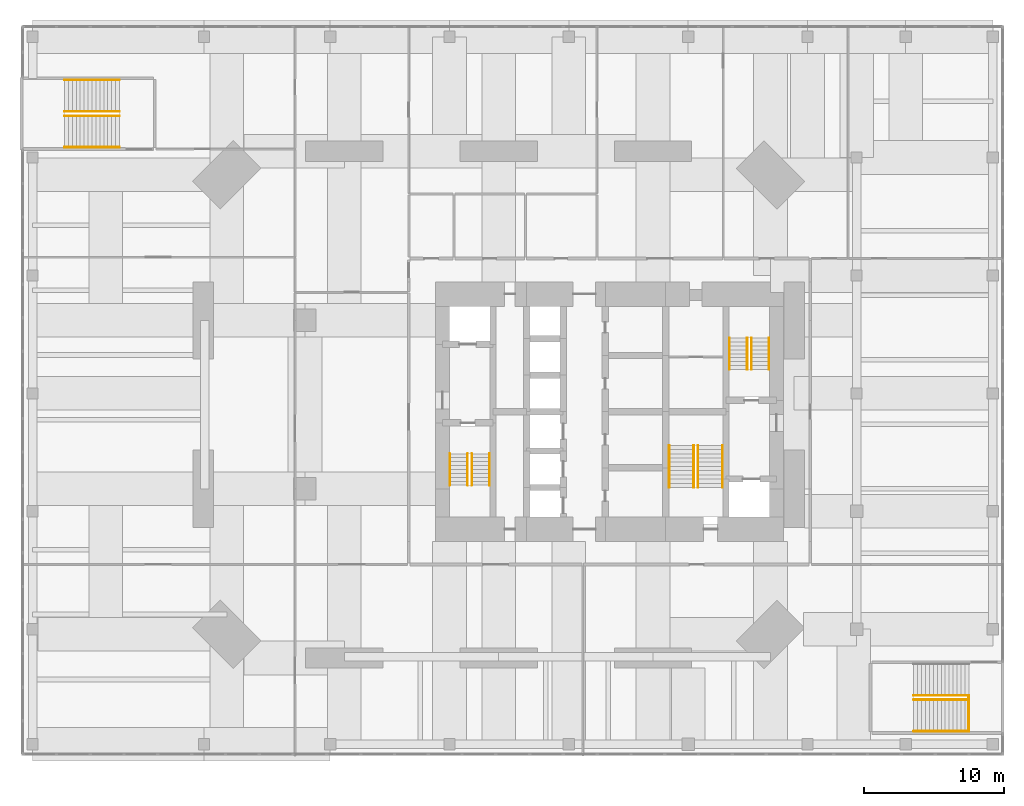
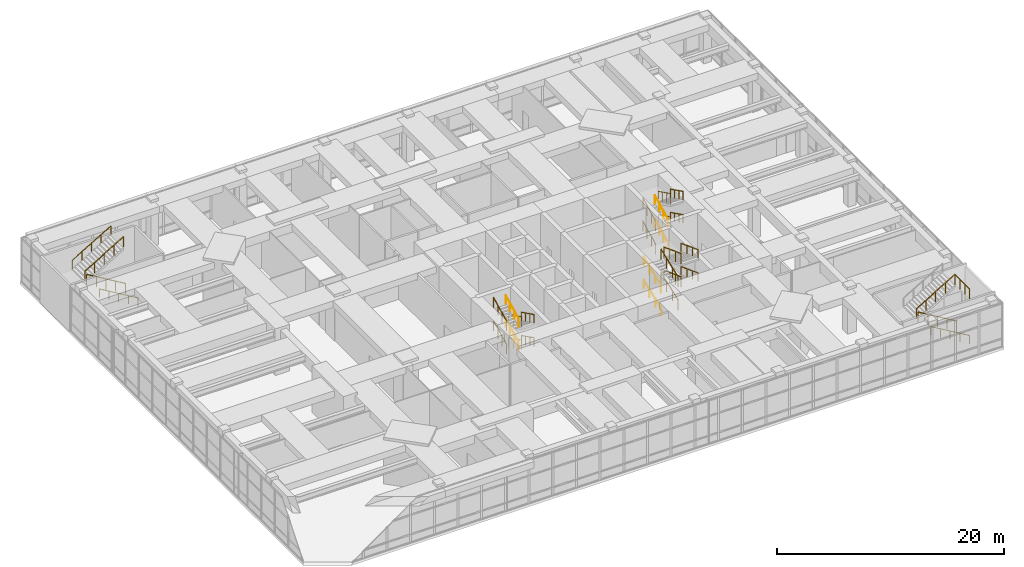
# One storey, part 23 of 24: 32 railings.
"""IFC4 building model written with IfcOpenShell, lengths in metres."""

from ifc_helpers import new_model, si_unit, direction, frame, origin, origin_2d, place, context, subcontext, project, spatial, rectangle, circle, extrude, material, constituent, constituent_set, type_object, element, save


model = new_model("IFC4")

# Units and contexts
model_context = context("Model", 3, precision=1e-05, world=origin(), true_north=direction((0.0, 1.0)))
body_context = subcontext(model_context, "Body", "Model", "MODEL_VIEW")
ifc_project = project(units=[si_unit("LENGTHUNIT", "METRE"), si_unit("AREAUNIT", "SQUARE_METRE"), si_unit("VOLUMEUNIT", "CUBIC_METRE"), si_unit("PLANEANGLEUNIT", "RADIAN"), si_unit("MASSUNIT", "GRAM", prefix="KILO")], contexts=[model_context])

# Site, building, storey
site_placement = place(None, origin())
site = spatial("IfcSite", under=ifc_project, at=site_placement, CompositionType="ELEMENT")
building_placement = place(site_placement, origin())
building = spatial("IfcBuilding", under=site, at=building_placement, Name="Jalousie Tower", CompositionType="ELEMENT")
storey_placement = place(building_placement, frame((0.0, 0.0, 11.0)))
storey = spatial("IfcBuildingStorey", under=building, at=storey_placement, Name="L02", CompositionType="ELEMENT", Elevation=11.0)

# Railings
ifc_material_1 = material(Name="Steel ASTM A500 Grade C", Category="steel")
ifc_constituent_1 = constituent(ifc_material_1, Name="Body")
ifc_material_2 = material(Name="Hot-dip galvanised zinc coating")
ifc_constituent_2 = constituent(ifc_material_2, Name="Finish")
ifc_constituent_set_1 = constituent_set(constituents=[ifc_constituent_1, ifc_constituent_2])
railing_type_1 = type_object("IfcRailingType", Name="STAIR GUARD 1100", PredefinedType="GUARDRAIL", material=ifc_constituent_set_1)
railing_1_placement = place(storey_placement, frame((22.092529296875, 15.49755859375, 0.138916015625)))
element("IfcRailing", 1, at=railing_1_placement, inside=storey, type_object=railing_type_1, Name="Exit stair A guard L02 flight 1", PredefinedType="GUARDRAIL", context=body_context, shape_type="SweptSolid", body=[
    extrude(rectangle(XDim=0.048095703125, YDim=0.048095703125, at=origin_2d()), frame((0.0, 0.0, 1.076171875), z_axis=(0.0, -0.895848192791, 0.444360231651), x_axis=(1.0, 0.0, 0.0)), (0.0, 0.0, 1.0), 2.50048828125),
    extrude(circle(Radius=0.02099609375, at=origin_2d()), origin(), (0.0, 0.0, 1.0), 1.052001953125),
    extrude(circle(Radius=0.02099609375, at=origin_2d()), frame((0.0, -0.74658203125, 0.370361328125)), (0.0, 0.0, 1.0), 1.052001953125),
    extrude(circle(Radius=0.02099609375, at=origin_2d()), frame((0.0, -1.493408203125, 0.74072265625)), (0.0, 0.0, 1.0), 1.052001953125),
    extrude(circle(Radius=0.02099609375, at=origin_2d()), frame((0.0, -2.239990234375, 1.111083984375)), (0.0, 0.0, 1.0), 1.052001953125),
])
railing_2_placement = place(storey_placement, frame((20.52978515625, 13.257568359375, 1.388916015625)))
element("IfcRailing", 2, at=railing_2_placement, inside=storey, type_object=railing_type_1, Name="Exit stair A guard L02 flight 2", PredefinedType="GUARDRAIL", context=body_context, shape_type="SweptSolid", body=[
    extrude(rectangle(XDim=0.048095703125, YDim=0.048095703125, at=origin_2d()), frame((0.0, 0.0, 1.076171875), z_axis=(0.0, 0.895848192791, 0.444360231651), x_axis=(-1.0, 0.0, 0.0)), (0.0, 0.0, 1.0), 2.50048828125),
    extrude(circle(Radius=0.02099609375, at=origin_2d()), origin(), (0.0, 0.0, 1.0), 1.052001953125),
    extrude(circle(Radius=0.02099609375, at=origin_2d()), frame((0.0, 0.74658203125, 0.370361328125)), (0.0, 0.0, 1.0), 1.052001953125),
    extrude(circle(Radius=0.02099609375, at=origin_2d()), frame((0.0, 1.493408203125, 0.74072265625)), (0.0, 0.0, 1.0), 1.052001953125),
    extrude(circle(Radius=0.02099609375, at=origin_2d()), frame((0.0, 2.239990234375, 1.111083984375)), (0.0, 0.0, 1.0), 1.052001953125),
])
railing_3_placement = place(storey_placement, frame((22.092529296875, 15.49755859375, 2.638916015625)))
element("IfcRailing", 3, at=railing_3_placement, inside=storey, type_object=railing_type_1, Name="Exit stair A guard L02 flight 3", PredefinedType="GUARDRAIL", context=body_context, shape_type="SweptSolid", body=[
    extrude(rectangle(XDim=0.048095703125, YDim=0.048095703125, at=origin_2d()), frame((0.0, 0.0, 1.076171875), z_axis=(0.0, -0.895848192791, 0.444360231651), x_axis=(1.0, 0.0, 0.0)), (0.0, 0.0, 1.0), 2.50048828125),
    extrude(circle(Radius=0.02099609375, at=origin_2d()), origin(), (0.0, 0.0, 1.0), 1.052001953125),
    extrude(circle(Radius=0.02099609375, at=origin_2d()), frame((0.0, -0.74658203125, 0.370361328125)), (0.0, 0.0, 1.0), 1.052001953125),
    extrude(circle(Radius=0.02099609375, at=origin_2d()), frame((0.0, -1.493408203125, 0.74072265625)), (0.0, 0.0, 1.0), 1.052001953125),
    extrude(circle(Radius=0.02099609375, at=origin_2d()), frame((0.0, -2.239990234375, 1.111083984375)), (0.0, 0.0, 1.0), 1.052001953125),
])
for number, where, name in (
    (4, (20.52978515625, 13.257568359375, 3.888916015625), "Exit stair A guard L02 flight 4"),
    (5, (40.455078125, 21.50244140625, 0.138916015625), "Exit stair B guard L02 flight 1"),
):
    element("IfcRailing", number, at=place(storey_placement, frame(where)), inside=storey, type_object=railing_type_1, Name=name, PredefinedType="GUARDRAIL", context=body_context, shape_type="SweptSolid", body=[
        extrude(rectangle(XDim=0.048095703125, YDim=0.048095703125, at=origin_2d()), frame((0.0, 0.0, 1.076171875), z_axis=(0.0, 0.895848192791, 0.444360231651), x_axis=(-1.0, 0.0, 0.0)), (0.0, 0.0, 1.0), 2.50048828125),
        extrude(circle(Radius=0.02099609375, at=origin_2d()), origin(), (0.0, 0.0, 1.0), 1.052001953125),
        extrude(circle(Radius=0.02099609375, at=origin_2d()), frame((0.0, 0.74658203125, 0.370361328125)), (0.0, 0.0, 1.0), 1.052001953125),
        extrude(circle(Radius=0.02099609375, at=origin_2d()), frame((0.0, 1.493408203125, 0.74072265625)), (0.0, 0.0, 1.0), 1.052001953125),
        extrude(circle(Radius=0.02099609375, at=origin_2d()), frame((0.0, 2.239990234375, 1.111083984375)), (0.0, 0.0, 1.0), 1.052001953125),
    ])
railing_4_placement = place(storey_placement, frame((42.017578125, 23.742431640625, 1.388916015625)))
element("IfcRailing", 6, at=railing_4_placement, inside=storey, type_object=railing_type_1, Name="Exit stair B guard L02 flight 2", PredefinedType="GUARDRAIL", context=body_context, shape_type="SweptSolid", body=[
    extrude(rectangle(XDim=0.048095703125, YDim=0.048095703125, at=origin_2d()), frame((0.0, 0.0, 1.076171875), z_axis=(0.0, -0.895848192791, 0.444360231651), x_axis=(1.0, 0.0, 0.0)), (0.0, 0.0, 1.0), 2.50048828125),
    extrude(circle(Radius=0.02099609375, at=origin_2d()), origin(), (0.0, 0.0, 1.0), 1.052001953125),
    extrude(circle(Radius=0.02099609375, at=origin_2d()), frame((0.0, -0.74658203125, 0.370361328125)), (0.0, 0.0, 1.0), 1.052001953125),
    extrude(circle(Radius=0.02099609375, at=origin_2d()), frame((0.0, -1.493408203125, 0.74072265625)), (0.0, 0.0, 1.0), 1.052001953125),
    extrude(circle(Radius=0.02099609375, at=origin_2d()), frame((0.0, -2.239990234375, 1.111083984375)), (0.0, 0.0, 1.0), 1.052001953125),
])
railing_5_placement = place(storey_placement, frame((40.455078125, 21.50244140625, 2.638916015625)))
element("IfcRailing", 7, at=railing_5_placement, inside=storey, type_object=railing_type_1, Name="Exit stair B guard L02 flight 3", PredefinedType="GUARDRAIL", context=body_context, shape_type="SweptSolid", body=[
    extrude(rectangle(XDim=0.048095703125, YDim=0.048095703125, at=origin_2d()), frame((0.0, 0.0, 1.076171875), z_axis=(0.0, 0.895848192791, 0.444360231651), x_axis=(-1.0, 0.0, 0.0)), (0.0, 0.0, 1.0), 2.50048828125),
    extrude(circle(Radius=0.02099609375, at=origin_2d()), origin(), (0.0, 0.0, 1.0), 1.052001953125),
    extrude(circle(Radius=0.02099609375, at=origin_2d()), frame((0.0, 0.74658203125, 0.370361328125)), (0.0, 0.0, 1.0), 1.052001953125),
    extrude(circle(Radius=0.02099609375, at=origin_2d()), frame((0.0, 1.493408203125, 0.74072265625)), (0.0, 0.0, 1.0), 1.052001953125),
    extrude(circle(Radius=0.02099609375, at=origin_2d()), frame((0.0, 2.239990234375, 1.111083984375)), (0.0, 0.0, 1.0), 1.052001953125),
])
railing_6_placement = place(storey_placement, frame((42.017578125, 23.742431640625, 3.888916015625)))
element("IfcRailing", 8, at=railing_6_placement, inside=storey, type_object=railing_type_1, Name="Exit stair B guard L02 flight 4", PredefinedType="GUARDRAIL", context=body_context, shape_type="SweptSolid", body=[
    extrude(rectangle(XDim=0.048095703125, YDim=0.048095703125, at=origin_2d()), frame((0.0, 0.0, 1.076171875), z_axis=(0.0, -0.895848192791, 0.444360231651), x_axis=(1.0, 0.0, 0.0)), (0.0, 0.0, 1.0), 2.50048828125),
    extrude(circle(Radius=0.02099609375, at=origin_2d()), origin(), (0.0, 0.0, 1.0), 1.052001953125),
    extrude(circle(Radius=0.02099609375, at=origin_2d()), frame((0.0, -0.74658203125, 0.370361328125)), (0.0, 0.0, 1.0), 1.052001953125),
    extrude(circle(Radius=0.02099609375, at=origin_2d()), frame((0.0, -1.493408203125, 0.74072265625)), (0.0, 0.0, 1.0), 1.052001953125),
    extrude(circle(Radius=0.02099609375, at=origin_2d()), frame((0.0, -2.239990234375, 1.111083984375)), (0.0, 0.0, 1.0), 1.052001953125),
])
railing_7_placement = place(storey_placement, frame((37.89501953125, 13.097412109375, 0.113525390625)))
element("IfcRailing", 9, at=railing_7_placement, inside=storey, type_object=railing_type_1, Name="Exit stair C guard L02 flight 1", PredefinedType="GUARDRAIL", context=body_context, shape_type="SweptSolid", body=[
    extrude(rectangle(XDim=0.048095703125, YDim=0.048095703125, at=origin_2d()), frame((0.0, 0.0, 1.076171875), z_axis=(0.0, 0.935147985876, 0.354257313985), x_axis=(-1.0, 0.0, 0.0)), (0.0, 0.0, 1.0), 3.2080078125),
    extrude(circle(Radius=0.02099609375, at=origin_2d()), origin(), (0.0, 0.0, 1.0), 1.052001953125),
    extrude(circle(Radius=0.02099609375, at=origin_2d()), frame((0.0, 1.0, 0.37890625)), (0.0, 0.0, 1.0), 1.052001953125),
    extrude(circle(Radius=0.02099609375, at=origin_2d()), frame((0.0, 2.0, 0.757568359375)), (0.0, 0.0, 1.0), 1.052001953125),
    extrude(circle(Radius=0.02099609375, at=origin_2d()), frame((0.0, 3.0, 1.136474609375)), (0.0, 0.0, 1.0), 1.052001953125),
])
railing_8_placement = place(storey_placement, frame((38.205078125, 16.097412109375, 1.363525390625)))
element("IfcRailing", 10, at=railing_8_placement, inside=storey, type_object=railing_type_1, Name="Exit stair C guard L02 flight 2", PredefinedType="GUARDRAIL", context=body_context, shape_type="SweptSolid", body=[
    extrude(rectangle(XDim=0.048095703125, YDim=0.048095703125, at=origin_2d()), frame((0.0, 0.0, 1.076171875), z_axis=(0.0, -0.935147985876, 0.354257313985), x_axis=(1.0, 0.0, 0.0)), (0.0, 0.0, 1.0), 3.2080078125),
    extrude(circle(Radius=0.02099609375, at=origin_2d()), origin(), (0.0, 0.0, 1.0), 1.052001953125),
    extrude(circle(Radius=0.02099609375, at=origin_2d()), frame((0.0, -1.0, 0.37890625)), (0.0, 0.0, 1.0), 1.052001953125),
    extrude(circle(Radius=0.02099609375, at=origin_2d()), frame((0.0, -2.0, 0.757568359375)), (0.0, 0.0, 1.0), 1.052001953125),
    extrude(circle(Radius=0.02099609375, at=origin_2d()), frame((0.0, -3.0, 1.136474609375)), (0.0, 0.0, 1.0), 1.052001953125),
])
railing_9_placement = place(storey_placement, frame((37.89501953125, 13.097412109375, 2.613525390625)))
element("IfcRailing", 11, at=railing_9_placement, inside=storey, type_object=railing_type_1, Name="Exit stair C guard L02 flight 3", PredefinedType="GUARDRAIL", context=body_context, shape_type="SweptSolid", body=[
    extrude(rectangle(XDim=0.048095703125, YDim=0.048095703125, at=origin_2d()), frame((0.0, 0.0, 1.076171875), z_axis=(0.0, 0.935147985876, 0.354257313985), x_axis=(-1.0, 0.0, 0.0)), (0.0, 0.0, 1.0), 3.2080078125),
    extrude(circle(Radius=0.02099609375, at=origin_2d()), origin(), (0.0, 0.0, 1.0), 1.052001953125),
    extrude(circle(Radius=0.02099609375, at=origin_2d()), frame((0.0, 1.0, 0.37890625)), (0.0, 0.0, 1.0), 1.052001953125),
    extrude(circle(Radius=0.02099609375, at=origin_2d()), frame((0.0, 2.0, 0.757568359375)), (0.0, 0.0, 1.0), 1.052001953125),
    extrude(circle(Radius=0.02099609375, at=origin_2d()), frame((0.0, 3.0, 1.136474609375)), (0.0, 0.0, 1.0), 1.052001953125),
])
railing_10_placement = place(storey_placement, frame((38.205078125, 16.097412109375, 3.863525390625)))
element("IfcRailing", 12, at=railing_10_placement, inside=storey, type_object=railing_type_1, Name="Exit stair C guard L02 flight 4", PredefinedType="GUARDRAIL", context=body_context, shape_type="SweptSolid", body=[
    extrude(rectangle(XDim=0.048095703125, YDim=0.048095703125, at=origin_2d()), frame((0.0, 0.0, 1.076171875), z_axis=(0.0, -0.935147985876, 0.354257313985), x_axis=(1.0, 0.0, 0.0)), (0.0, 0.0, 1.0), 3.2080078125),
    extrude(circle(Radius=0.02099609375, at=origin_2d()), origin(), (0.0, 0.0, 1.0), 1.052001953125),
    extrude(circle(Radius=0.02099609375, at=origin_2d()), frame((0.0, -1.0, 0.37890625)), (0.0, 0.0, 1.0), 1.052001953125),
    extrude(circle(Radius=0.02099609375, at=origin_2d()), frame((0.0, -2.0, 0.757568359375)), (0.0, 0.0, 1.0), 1.052001953125),
    extrude(circle(Radius=0.02099609375, at=origin_2d()), frame((0.0, -3.0, 1.136474609375)), (0.0, 0.0, 1.0), 1.052001953125),
])
railing_11_placement = place(storey_placement, frame((-3.010009765625, 39.570068359375, 0.166748046875)))
element("IfcRailing", 13, at=railing_11_placement, inside=storey, type_object=railing_type_1, Name="Exit stair PS1 guard L02 flight 1", PredefinedType="GUARDRAIL", context=body_context, shape_type="SweptSolid", body=[
    extrude(rectangle(XDim=0.048095703125, YDim=0.048095703125, at=origin_2d()), frame((0.0, 0.0, 1.076171875), z_axis=(-0.859296244711, 0.0, 0.511478214419), x_axis=(0.0, -1.0, 0.0)), (0.0, 0.0, 1.0), 4.561767578125),
    extrude(circle(Radius=0.02099609375, at=origin_2d()), origin(), (0.0, 0.0, 1.0), 1.052001953125),
    extrude(circle(Radius=0.02099609375, at=origin_2d()), frame((-0.97998046875, 0.0, 0.583251953125)), (0.0, 0.0, 1.0), 1.052001953125),
    extrude(circle(Radius=0.02099609375, at=origin_2d()), frame((-1.9599609375, 0.0, 1.16650390625)), (0.0, 0.0, 1.0), 1.052001953125),
    extrude(circle(Radius=0.02099609375, at=origin_2d()), frame((-2.93994140625, 0.0, 1.75)), (0.0, 0.0, 1.0), 1.052001953125),
    extrude(circle(Radius=0.02099609375, at=origin_2d()), frame((-3.919921875, 0.0, 2.333251953125)), (0.0, 0.0, 1.0), 1.052001953125),
])
railing_12_placement = place(storey_placement, frame((-6.929931640625, 39.8798828125, 2.666748046875)))
element("IfcRailing", 14, at=railing_12_placement, inside=storey, type_object=railing_type_1, Name="Exit stair PS1 guard L02 flight 2", PredefinedType="GUARDRAIL", context=body_context, shape_type="SweptSolid", body=[
    extrude(rectangle(XDim=0.048095703125, YDim=0.048095703125, at=origin_2d()), frame((0.0, 0.0, 1.076171875), z_axis=(0.859296244711, 0.0, 0.511478214419), x_axis=(0.0, 1.0, 0.0)), (0.0, 0.0, 1.0), 4.561767578125),
    extrude(circle(Radius=0.02099609375, at=origin_2d()), origin(), (0.0, 0.0, 1.0), 1.052001953125),
    extrude(circle(Radius=0.02099609375, at=origin_2d()), frame((0.97998046875, 0.0, 0.583251953125)), (0.0, 0.0, 1.0), 1.052001953125),
    extrude(circle(Radius=0.02099609375, at=origin_2d()), frame((1.9599609375, 0.0, 1.16650390625)), (0.0, 0.0, 1.0), 1.052001953125),
    extrude(circle(Radius=0.02099609375, at=origin_2d()), frame((2.93994140625, 0.0, 1.75)), (0.0, 0.0, 1.0), 1.052001953125),
    extrude(circle(Radius=0.02099609375, at=origin_2d()), frame((3.919921875, 0.0, 2.333251953125)), (0.0, 0.0, 1.0), 1.052001953125),
])
railing_13_placement = place(storey_placement, frame((57.489990234375, -4.300048828125, 5.0)))
element("IfcRailing", 15, at=railing_13_placement, inside=storey, type_object=railing_type_1, Name="Exit stair PS2 top landing guard", PredefinedType="GUARDRAIL", context=body_context, shape_type="SweptSolid", body=[
    extrude(rectangle(XDim=0.048095703125, YDim=0.048095703125, at=origin_2d()), frame((0.0, 0.0, 1.076171875), z_axis=(0.0, 1.0, 0.0), x_axis=(-1.0, 0.0, 0.0)), (0.0, 0.0, 1.0), 2.550048828125),
    extrude(circle(Radius=0.02099609375, at=origin_2d()), origin(), (0.0, 0.0, 1.0), 1.052001953125),
    extrude(circle(Radius=0.02099609375, at=origin_2d()), frame((0.0, 0.85009765625, 0.0)), (0.0, 0.0, 1.0), 1.052001953125),
    extrude(circle(Radius=0.02099609375, at=origin_2d()), frame((0.0, 1.699951171875, 0.0)), (0.0, 0.0, 1.0), 1.052001953125),
    extrude(circle(Radius=0.02099609375, at=origin_2d()), frame((0.0, 2.550048828125, 0.0)), (0.0, 0.0, 1.0), 1.052001953125),
])
railing_14_placement = place(storey_placement, frame((57.489990234375, -2.030029296875, 0.166748046875)))
element("IfcRailing", 16, at=railing_14_placement, inside=storey, type_object=railing_type_1, Name="Exit stair PS2 guard L02 flight 1", PredefinedType="GUARDRAIL", context=body_context, shape_type="SweptSolid", body=[
    extrude(rectangle(XDim=0.048095703125, YDim=0.048095703125, at=origin_2d()), frame((0.0, 0.0, 1.076171875), z_axis=(-0.859296244711, 0.0, 0.511478214419), x_axis=(0.0, -1.0, 0.0)), (0.0, 0.0, 1.0), 4.561767578125),
    extrude(circle(Radius=0.02099609375, at=origin_2d()), origin(), (0.0, 0.0, 1.0), 1.052001953125),
    extrude(circle(Radius=0.02099609375, at=origin_2d()), frame((-0.97998046875, 0.0, 0.583251953125)), (0.0, 0.0, 1.0), 1.052001953125),
    extrude(circle(Radius=0.02099609375, at=origin_2d()), frame((-1.9599609375, 0.0, 1.16650390625)), (0.0, 0.0, 1.0), 1.052001953125),
    extrude(circle(Radius=0.02099609375, at=origin_2d()), frame((-2.93994140625, 0.0, 1.75)), (0.0, 0.0, 1.0), 1.052001953125),
    extrude(circle(Radius=0.02099609375, at=origin_2d()), frame((-3.919921875, 0.0, 2.333251953125)), (0.0, 0.0, 1.0), 1.052001953125),
])
railing_15_placement = place(storey_placement, frame((53.570068359375, -1.719970703125, 2.666748046875)))
element("IfcRailing", 17, at=railing_15_placement, inside=storey, type_object=railing_type_1, Name="Exit stair PS2 guard L02 flight 2", PredefinedType="GUARDRAIL", context=body_context, shape_type="SweptSolid", body=[
    extrude(rectangle(XDim=0.048095703125, YDim=0.048095703125, at=origin_2d()), frame((0.0, 0.0, 1.076171875), z_axis=(0.859296244711, 0.0, 0.511478214419), x_axis=(0.0, 1.0, 0.0)), (0.0, 0.0, 1.0), 4.561767578125),
    extrude(circle(Radius=0.02099609375, at=origin_2d()), origin(), (0.0, 0.0, 1.0), 1.052001953125),
    extrude(circle(Radius=0.02099609375, at=origin_2d()), frame((0.97998046875, 0.0, 0.583251953125)), (0.0, 0.0, 1.0), 1.052001953125),
    extrude(circle(Radius=0.02099609375, at=origin_2d()), frame((1.9599609375, 0.0, 1.16650390625)), (0.0, 0.0, 1.0), 1.052001953125),
    extrude(circle(Radius=0.02099609375, at=origin_2d()), frame((2.93994140625, 0.0, 1.75)), (0.0, 0.0, 1.0), 1.052001953125),
    extrude(circle(Radius=0.02099609375, at=origin_2d()), frame((3.919921875, 0.0, 2.333251953125)), (0.0, 0.0, 1.0), 1.052001953125),
])
ifc_material_3 = material(Name="Steel ASTM A500 Grade C", Category="steel")
ifc_constituent_3 = constituent(ifc_material_3, Name="Body")
ifc_material_4 = material(Name="Hot-dip galvanised zinc coating")
ifc_constituent_4 = constituent(ifc_material_4, Name="Finish")
ifc_constituent_set_2 = constituent_set(constituents=[ifc_constituent_3, ifc_constituent_4])
railing_type_2 = type_object("IfcRailingType", Name="STAIR HANDRAIL 900", PredefinedType="HANDRAIL", material=ifc_constituent_set_2)
railing_16_placement = place(storey_placement, frame((23.34521484375, 15.49755859375, 0.138916015625)))
element("IfcRailing", 18, at=railing_16_placement, inside=storey, type_object=railing_type_2, Name="Exit stair A handrail L02 flight 1", PredefinedType="HANDRAIL", context=body_context, shape_type="SweptSolid", body=[
    extrude(circle(Radius=0.02392578125, at=origin_2d()), frame((0.0, 0.0, 0.8759765625), z_axis=(0.0, -0.895848192791, 0.444360231651), x_axis=(1.0, 0.0, 0.0)), (0.0, 0.0, 1.0), 2.50048828125),
    extrude(circle(Radius=0.02099609375, at=origin_2d()), origin(), (0.0, 0.0, 1.0), 0.851806640625),
    extrude(circle(Radius=0.02099609375, at=origin_2d()), frame((0.0, -0.74658203125, 0.370361328125)), (0.0, 0.0, 1.0), 0.851806640625),
    extrude(circle(Radius=0.02099609375, at=origin_2d()), frame((0.0, -1.493408203125, 0.74072265625)), (0.0, 0.0, 1.0), 0.851806640625),
    extrude(circle(Radius=0.02099609375, at=origin_2d()), frame((0.0, -2.239990234375, 1.111083984375)), (0.0, 0.0, 1.0), 0.851806640625),
])
railing_17_placement = place(storey_placement, frame((21.782470703125, 13.257568359375, 1.388916015625)))
element("IfcRailing", 19, at=railing_17_placement, inside=storey, type_object=railing_type_2, Name="Exit stair A handrail L02 flight 2", PredefinedType="HANDRAIL", context=body_context, shape_type="SweptSolid", body=[
    extrude(circle(Radius=0.02392578125, at=origin_2d()), frame((0.0, 0.0, 0.8759765625), z_axis=(0.0, 0.895848192791, 0.444360231651), x_axis=(-1.0, 0.0, 0.0)), (0.0, 0.0, 1.0), 2.50048828125),
    extrude(circle(Radius=0.02099609375, at=origin_2d()), origin(), (0.0, 0.0, 1.0), 0.851806640625),
    extrude(circle(Radius=0.02099609375, at=origin_2d()), frame((0.0, 0.74658203125, 0.370361328125)), (0.0, 0.0, 1.0), 0.851806640625),
    extrude(circle(Radius=0.02099609375, at=origin_2d()), frame((0.0, 1.493408203125, 0.74072265625)), (0.0, 0.0, 1.0), 0.851806640625),
    extrude(circle(Radius=0.02099609375, at=origin_2d()), frame((0.0, 2.239990234375, 1.111083984375)), (0.0, 0.0, 1.0), 0.851806640625),
])
railing_18_placement = place(storey_placement, frame((23.34521484375, 15.49755859375, 2.638916015625)))
element("IfcRailing", 20, at=railing_18_placement, inside=storey, type_object=railing_type_2, Name="Exit stair A handrail L02 flight 3", PredefinedType="HANDRAIL", context=body_context, shape_type="SweptSolid", body=[
    extrude(circle(Radius=0.02392578125, at=origin_2d()), frame((0.0, 0.0, 0.8759765625), z_axis=(0.0, -0.895848192791, 0.444360231651), x_axis=(1.0, 0.0, 0.0)), (0.0, 0.0, 1.0), 2.50048828125),
    extrude(circle(Radius=0.02099609375, at=origin_2d()), origin(), (0.0, 0.0, 1.0), 0.851806640625),
    extrude(circle(Radius=0.02099609375, at=origin_2d()), frame((0.0, -0.74658203125, 0.370361328125)), (0.0, 0.0, 1.0), 0.851806640625),
    extrude(circle(Radius=0.02099609375, at=origin_2d()), frame((0.0, -1.493408203125, 0.74072265625)), (0.0, 0.0, 1.0), 0.851806640625),
    extrude(circle(Radius=0.02099609375, at=origin_2d()), frame((0.0, -2.239990234375, 1.111083984375)), (0.0, 0.0, 1.0), 0.851806640625),
])
for number, where, name in (
    (21, (21.782470703125, 13.257568359375, 3.888916015625), "Exit stair A handrail L02 flight 4"),
    (22, (41.70751953125, 21.50244140625, 0.138916015625), "Exit stair B handrail L02 flight 1"),
):
    element("IfcRailing", number, at=place(storey_placement, frame(where)), inside=storey, type_object=railing_type_2, Name=name, PredefinedType="HANDRAIL", context=body_context, shape_type="SweptSolid", body=[
        extrude(circle(Radius=0.02392578125, at=origin_2d()), frame((0.0, 0.0, 0.8759765625), z_axis=(0.0, 0.895848192791, 0.444360231651), x_axis=(-1.0, 0.0, 0.0)), (0.0, 0.0, 1.0), 2.50048828125),
        extrude(circle(Radius=0.02099609375, at=origin_2d()), origin(), (0.0, 0.0, 1.0), 0.851806640625),
        extrude(circle(Radius=0.02099609375, at=origin_2d()), frame((0.0, 0.74658203125, 0.370361328125)), (0.0, 0.0, 1.0), 0.851806640625),
        extrude(circle(Radius=0.02099609375, at=origin_2d()), frame((0.0, 1.493408203125, 0.74072265625)), (0.0, 0.0, 1.0), 0.851806640625),
        extrude(circle(Radius=0.02099609375, at=origin_2d()), frame((0.0, 2.239990234375, 1.111083984375)), (0.0, 0.0, 1.0), 0.851806640625),
    ])
railing_19_placement = place(storey_placement, frame((43.27001953125, 23.742431640625, 1.388916015625)))
element("IfcRailing", 23, at=railing_19_placement, inside=storey, type_object=railing_type_2, Name="Exit stair B handrail L02 flight 2", PredefinedType="HANDRAIL", context=body_context, shape_type="SweptSolid", body=[
    extrude(circle(Radius=0.02392578125, at=origin_2d()), frame((0.0, 0.0, 0.8759765625), z_axis=(0.0, -0.895848192791, 0.444360231651), x_axis=(1.0, 0.0, 0.0)), (0.0, 0.0, 1.0), 2.50048828125),
    extrude(circle(Radius=0.02099609375, at=origin_2d()), origin(), (0.0, 0.0, 1.0), 0.851806640625),
    extrude(circle(Radius=0.02099609375, at=origin_2d()), frame((0.0, -0.74658203125, 0.370361328125)), (0.0, 0.0, 1.0), 0.851806640625),
    extrude(circle(Radius=0.02099609375, at=origin_2d()), frame((0.0, -1.493408203125, 0.74072265625)), (0.0, 0.0, 1.0), 0.851806640625),
    extrude(circle(Radius=0.02099609375, at=origin_2d()), frame((0.0, -2.239990234375, 1.111083984375)), (0.0, 0.0, 1.0), 0.851806640625),
])
railing_20_placement = place(storey_placement, frame((41.70751953125, 21.50244140625, 2.638916015625)))
element("IfcRailing", 24, at=railing_20_placement, inside=storey, type_object=railing_type_2, Name="Exit stair B handrail L02 flight 3", PredefinedType="HANDRAIL", context=body_context, shape_type="SweptSolid", body=[
    extrude(circle(Radius=0.02392578125, at=origin_2d()), frame((0.0, 0.0, 0.8759765625), z_axis=(0.0, 0.895848192791, 0.444360231651), x_axis=(-1.0, 0.0, 0.0)), (0.0, 0.0, 1.0), 2.50048828125),
    extrude(circle(Radius=0.02099609375, at=origin_2d()), origin(), (0.0, 0.0, 1.0), 0.851806640625),
    extrude(circle(Radius=0.02099609375, at=origin_2d()), frame((0.0, 0.74658203125, 0.370361328125)), (0.0, 0.0, 1.0), 0.851806640625),
    extrude(circle(Radius=0.02099609375, at=origin_2d()), frame((0.0, 1.493408203125, 0.74072265625)), (0.0, 0.0, 1.0), 0.851806640625),
    extrude(circle(Radius=0.02099609375, at=origin_2d()), frame((0.0, 2.239990234375, 1.111083984375)), (0.0, 0.0, 1.0), 0.851806640625),
])
railing_21_placement = place(storey_placement, frame((43.27001953125, 23.742431640625, 3.888916015625)))
element("IfcRailing", 25, at=railing_21_placement, inside=storey, type_object=railing_type_2, Name="Exit stair B handrail L02 flight 4", PredefinedType="HANDRAIL", context=body_context, shape_type="SweptSolid", body=[
    extrude(circle(Radius=0.02392578125, at=origin_2d()), frame((0.0, 0.0, 0.8759765625), z_axis=(0.0, -0.895848192791, 0.444360231651), x_axis=(1.0, 0.0, 0.0)), (0.0, 0.0, 1.0), 2.50048828125),
    extrude(circle(Radius=0.02099609375, at=origin_2d()), origin(), (0.0, 0.0, 1.0), 0.851806640625),
    extrude(circle(Radius=0.02099609375, at=origin_2d()), frame((0.0, -0.74658203125, 0.370361328125)), (0.0, 0.0, 1.0), 0.851806640625),
    extrude(circle(Radius=0.02099609375, at=origin_2d()), frame((0.0, -1.493408203125, 0.74072265625)), (0.0, 0.0, 1.0), 0.851806640625),
    extrude(circle(Radius=0.02099609375, at=origin_2d()), frame((0.0, -2.239990234375, 1.111083984375)), (0.0, 0.0, 1.0), 0.851806640625),
])
railing_22_placement = place(storey_placement, frame((36.155029296875, 13.097412109375, 0.113525390625)))
element("IfcRailing", 26, at=railing_22_placement, inside=storey, type_object=railing_type_2, Name="Exit stair C handrail L02 flight 1", PredefinedType="HANDRAIL", context=body_context, shape_type="SweptSolid", body=[
    extrude(circle(Radius=0.02392578125, at=origin_2d()), frame((0.0, 0.0, 0.8759765625), z_axis=(0.0, 0.935147985876, 0.354257313985), x_axis=(-1.0, 0.0, 0.0)), (0.0, 0.0, 1.0), 3.2080078125),
    extrude(circle(Radius=0.02099609375, at=origin_2d()), origin(), (0.0, 0.0, 1.0), 0.851806640625),
    extrude(circle(Radius=0.02099609375, at=origin_2d()), frame((0.0, 1.0, 0.37890625)), (0.0, 0.0, 1.0), 0.851806640625),
    extrude(circle(Radius=0.02099609375, at=origin_2d()), frame((0.0, 2.0, 0.757568359375)), (0.0, 0.0, 1.0), 0.851806640625),
    extrude(circle(Radius=0.02099609375, at=origin_2d()), frame((0.0, 3.0, 1.136474609375)), (0.0, 0.0, 1.0), 0.851806640625),
])
railing_23_placement = place(storey_placement, frame((39.945068359375, 16.097412109375, 1.363525390625)))
element("IfcRailing", 27, at=railing_23_placement, inside=storey, type_object=railing_type_2, Name="Exit stair C handrail L02 flight 2", PredefinedType="HANDRAIL", context=body_context, shape_type="SweptSolid", body=[
    extrude(circle(Radius=0.02392578125, at=origin_2d()), frame((0.0, 0.0, 0.8759765625), z_axis=(0.0, -0.935147985876, 0.354257313985), x_axis=(1.0, 0.0, 0.0)), (0.0, 0.0, 1.0), 3.2080078125),
    extrude(circle(Radius=0.02099609375, at=origin_2d()), origin(), (0.0, 0.0, 1.0), 0.851806640625),
    extrude(circle(Radius=0.02099609375, at=origin_2d()), frame((0.0, -1.0, 0.37890625)), (0.0, 0.0, 1.0), 0.851806640625),
    extrude(circle(Radius=0.02099609375, at=origin_2d()), frame((0.0, -2.0, 0.757568359375)), (0.0, 0.0, 1.0), 0.851806640625),
    extrude(circle(Radius=0.02099609375, at=origin_2d()), frame((0.0, -3.0, 1.136474609375)), (0.0, 0.0, 1.0), 0.851806640625),
])
railing_24_placement = place(storey_placement, frame((36.155029296875, 13.097412109375, 2.613525390625)))
element("IfcRailing", 28, at=railing_24_placement, inside=storey, type_object=railing_type_2, Name="Exit stair C handrail L02 flight 3", PredefinedType="HANDRAIL", context=body_context, shape_type="SweptSolid", body=[
    extrude(circle(Radius=0.02392578125, at=origin_2d()), frame((0.0, 0.0, 0.8759765625), z_axis=(0.0, 0.935147985876, 0.354257313985), x_axis=(-1.0, 0.0, 0.0)), (0.0, 0.0, 1.0), 3.2080078125),
    extrude(circle(Radius=0.02099609375, at=origin_2d()), origin(), (0.0, 0.0, 1.0), 0.851806640625),
    extrude(circle(Radius=0.02099609375, at=origin_2d()), frame((0.0, 1.0, 0.37890625)), (0.0, 0.0, 1.0), 0.851806640625),
    extrude(circle(Radius=0.02099609375, at=origin_2d()), frame((0.0, 2.0, 0.757568359375)), (0.0, 0.0, 1.0), 0.851806640625),
    extrude(circle(Radius=0.02099609375, at=origin_2d()), frame((0.0, 3.0, 1.136474609375)), (0.0, 0.0, 1.0), 0.851806640625),
])
railing_25_placement = place(storey_placement, frame((39.945068359375, 16.097412109375, 3.863525390625)))
element("IfcRailing", 29, at=railing_25_placement, inside=storey, type_object=railing_type_2, Name="Exit stair C handrail L02 flight 4", PredefinedType="HANDRAIL", context=body_context, shape_type="SweptSolid", body=[
    extrude(circle(Radius=0.02392578125, at=origin_2d()), frame((0.0, 0.0, 0.8759765625), z_axis=(0.0, -0.935147985876, 0.354257313985), x_axis=(1.0, 0.0, 0.0)), (0.0, 0.0, 1.0), 3.2080078125),
    extrude(circle(Radius=0.02099609375, at=origin_2d()), origin(), (0.0, 0.0, 1.0), 0.851806640625),
    extrude(circle(Radius=0.02099609375, at=origin_2d()), frame((0.0, -1.0, 0.37890625)), (0.0, 0.0, 1.0), 0.851806640625),
    extrude(circle(Radius=0.02099609375, at=origin_2d()), frame((0.0, -2.0, 0.757568359375)), (0.0, 0.0, 1.0), 0.851806640625),
    extrude(circle(Radius=0.02099609375, at=origin_2d()), frame((0.0, -3.0, 1.136474609375)), (0.0, 0.0, 1.0), 0.851806640625),
])
railing_26_placement = place(storey_placement, frame((-3.010009765625, 37.330078125, 0.166748046875)))
element("IfcRailing", 30, at=railing_26_placement, inside=storey, type_object=railing_type_2, Name="Exit stair PS1 handrail L02 flight 1", PredefinedType="HANDRAIL", context=body_context, shape_type="SweptSolid", body=[
    extrude(circle(Radius=0.02392578125, at=origin_2d()), frame((0.0, 0.0, 0.8759765625), z_axis=(-0.859296244711, 0.0, 0.511478214419), x_axis=(0.0, -1.0, 0.0)), (0.0, 0.0, 1.0), 4.561767578125),
    extrude(circle(Radius=0.02099609375, at=origin_2d()), origin(), (0.0, 0.0, 1.0), 0.851806640625),
    extrude(circle(Radius=0.02099609375, at=origin_2d()), frame((-0.97998046875, 0.0, 0.583251953125)), (0.0, 0.0, 1.0), 0.851806640625),
    extrude(circle(Radius=0.02099609375, at=origin_2d()), frame((-1.9599609375, 0.0, 1.16650390625)), (0.0, 0.0, 1.0), 0.851806640625),
    extrude(circle(Radius=0.02099609375, at=origin_2d()), frame((-2.93994140625, 0.0, 1.75)), (0.0, 0.0, 1.0), 0.851806640625),
    extrude(circle(Radius=0.02099609375, at=origin_2d()), frame((-3.919921875, 0.0, 2.333251953125)), (0.0, 0.0, 1.0), 0.851806640625),
])
railing_27_placement = place(storey_placement, frame((-6.929931640625, 42.1201171875, 2.666748046875)))
element("IfcRailing", 31, at=railing_27_placement, inside=storey, type_object=railing_type_2, Name="Exit stair PS1 handrail L02 flight 2", PredefinedType="HANDRAIL", context=body_context, shape_type="SweptSolid", body=[
    extrude(circle(Radius=0.02392578125, at=origin_2d()), frame((0.0, 0.0, 0.8759765625), z_axis=(0.859296244711, 0.0, 0.511478214419), x_axis=(0.0, 1.0, 0.0)), (0.0, 0.0, 1.0), 4.561767578125),
    extrude(circle(Radius=0.02099609375, at=origin_2d()), origin(), (0.0, 0.0, 1.0), 0.851806640625),
    extrude(circle(Radius=0.02099609375, at=origin_2d()), frame((0.97998046875, 0.0, 0.583251953125)), (0.0, 0.0, 1.0), 0.851806640625),
    extrude(circle(Radius=0.02099609375, at=origin_2d()), frame((1.9599609375, 0.0, 1.16650390625)), (0.0, 0.0, 1.0), 0.851806640625),
    extrude(circle(Radius=0.02099609375, at=origin_2d()), frame((2.93994140625, 0.0, 1.75)), (0.0, 0.0, 1.0), 0.851806640625),
    extrude(circle(Radius=0.02099609375, at=origin_2d()), frame((3.919921875, 0.0, 2.333251953125)), (0.0, 0.0, 1.0), 0.851806640625),
])
railing_28_placement = place(storey_placement, frame((57.489990234375, -4.27001953125, 0.166748046875)))
element("IfcRailing", 32, at=railing_28_placement, inside=storey, type_object=railing_type_2, Name="Exit stair PS2 handrail L02 flight 1", PredefinedType="HANDRAIL", context=body_context, shape_type="SweptSolid", body=[
    extrude(circle(Radius=0.02392578125, at=origin_2d()), frame((0.0, 0.0, 0.8759765625), z_axis=(-0.859296244711, 0.0, 0.511478214419), x_axis=(0.0, -1.0, 0.0)), (0.0, 0.0, 1.0), 4.561767578125),
    extrude(circle(Radius=0.02099609375, at=origin_2d()), origin(), (0.0, 0.0, 1.0), 0.851806640625),
    extrude(circle(Radius=0.02099609375, at=origin_2d()), frame((-0.97998046875, 0.0, 0.583251953125)), (0.0, 0.0, 1.0), 0.851806640625),
    extrude(circle(Radius=0.02099609375, at=origin_2d()), frame((-1.9599609375, 0.0, 1.16650390625)), (0.0, 0.0, 1.0), 0.851806640625),
    extrude(circle(Radius=0.02099609375, at=origin_2d()), frame((-2.93994140625, 0.0, 1.75)), (0.0, 0.0, 1.0), 0.851806640625),
    extrude(circle(Radius=0.02099609375, at=origin_2d()), frame((-3.919921875, 0.0, 2.333251953125)), (0.0, 0.0, 1.0), 0.851806640625),
])

save(model, "model.ifc")
